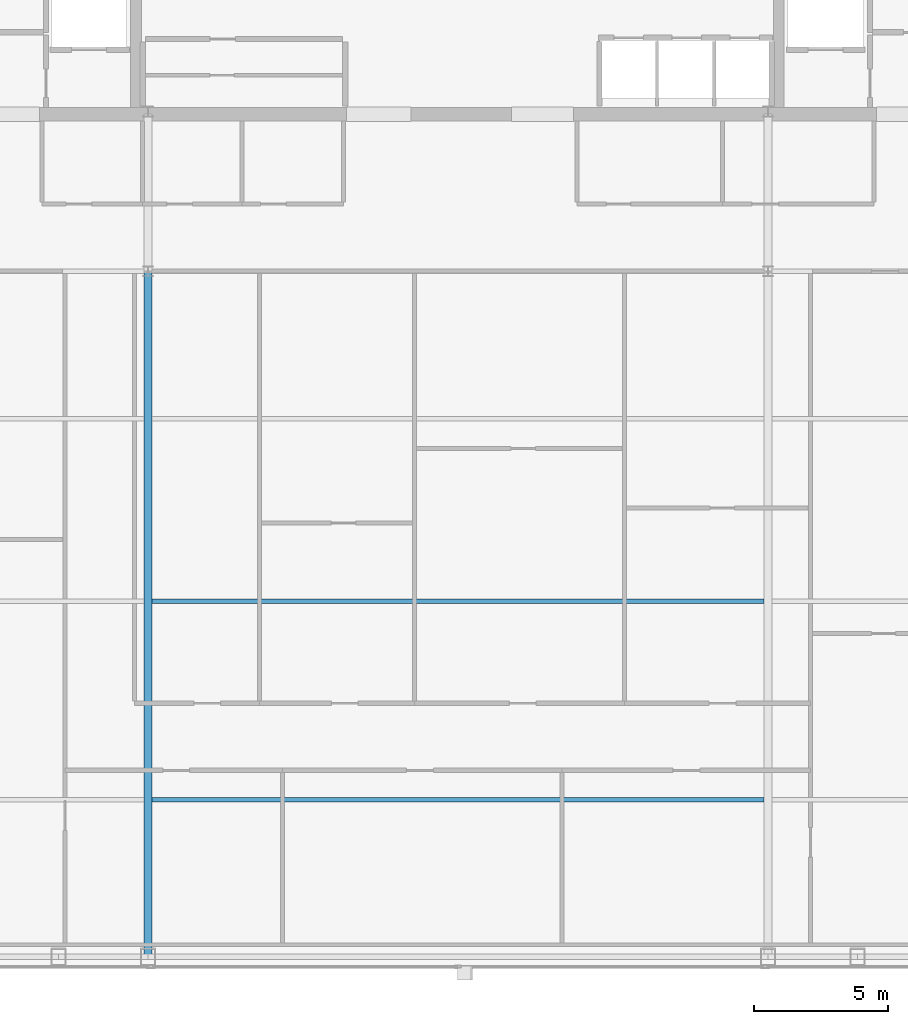
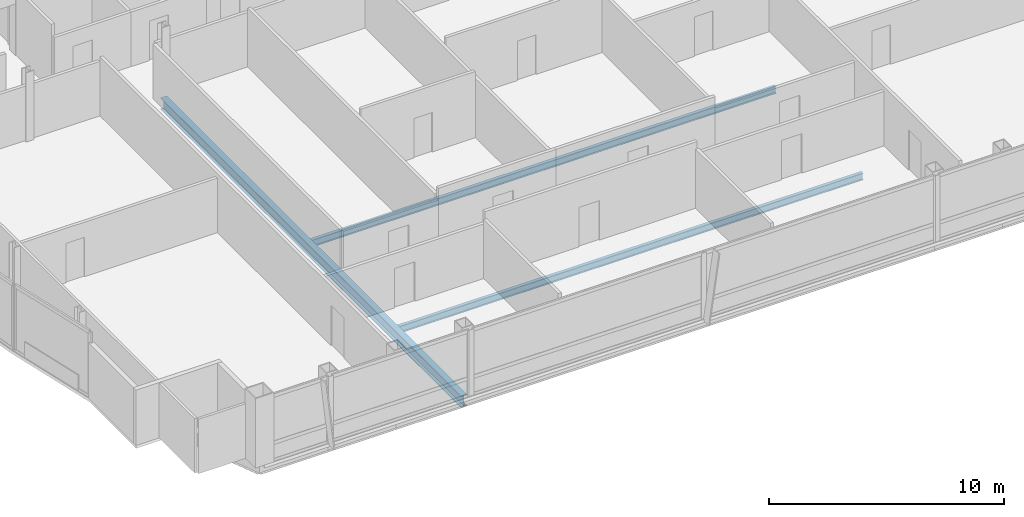
# One storey, part 10 of 29: 3 beams.
"""IFC4 building model written with IfcOpenShell, lengths in metres."""

from ifc_helpers import new_model, si_unit, direction, frame, origin, origin_2d, place, context, subcontext, project, spatial, i_section, extrude, material, material_profile, profile_set, type_object, element, save


model = new_model("IFC4")

# Units and contexts
model_context = context("Model", 3, precision=1e-05, world=origin(), true_north=direction((0.0, 1.0)))
body_context = subcontext(model_context, "Body", "Model", "MODEL_VIEW")
ifc_project = project(units=[si_unit("LENGTHUNIT", "METRE"), si_unit("AREAUNIT", "SQUARE_METRE"), si_unit("VOLUMEUNIT", "CUBIC_METRE"), si_unit("PLANEANGLEUNIT", "RADIAN"), si_unit("MASSUNIT", "GRAM", prefix="KILO")], contexts=[model_context])

# Site, building, storey
site_placement = place(None, origin())
site = spatial("IfcSite", under=ifc_project, at=site_placement, CompositionType="ELEMENT")
building_placement = place(site_placement, origin())
building = spatial("IfcBuilding", under=site, at=building_placement, Name="Khoronbel Lancet Exchange", CompositionType="ELEMENT")
storey_placement = place(building_placement, frame((0.0, 0.0, 318.199951171875)))
storey = spatial("IfcBuildingStorey", under=building, at=storey_placement, Name="L82", CompositionType="ELEMENT", Elevation=318.199951171875)

# Beams
ifc_material = material(Name="Steel S355", Category="steel")
ifc_material_profile_1 = material_profile(ifc_material, i_section(OverallWidth=0.300048828125, OverallDepth=0.60009765625, WebThickness=0.015380859375, FlangeThickness=0.030029296875, at=origin_2d()), Name="HEB 600")
ifc_profile_set_1 = profile_set([ifc_material_profile_1], Name="Steel S355")
beam_type_1 = type_object("IfcBeamType", Name="BM-BG5", PredefinedType="BEAM", material=ifc_profile_set_1)
beam_placement = place(storey_placement, frame((24.89990234375, 10.14990234375, -0.4599609375), z_axis=(0.0, 1.0, 0.0), x_axis=(-1.0, 0.0, 0.0)))
element("IfcBeam", 1, at=beam_placement, inside=storey, type_object=beam_type_1, Name="Level L82 south primary girder GS2", PredefinedType="BEAM", context=body_context, shape_type="SweptSolid", body=[
    extrude(i_section(OverallWidth=0.300048828125, OverallDepth=0.60009765625, WebThickness=0.015380859375, FlangeThickness=0.030029296875, at=origin_2d()), origin(), (0.0, 0.0, 1.0), 25.550048828125),
])
ifc_material_profile_2 = material_profile(ifc_material, i_section(OverallWidth=0.169921875, OverallDepth=0.360107421875, WebThickness=0.008056640625, FlangeThickness=0.0126953125, at=origin_2d()), Name="IPE 360")
ifc_profile_set_2 = profile_set([ifc_material_profile_2], Name="Steel S355")
beam_type_2 = type_object("IfcBeamType", Name="BM-BJ6", PredefinedType="JOIST", material=ifc_profile_set_2)
for number, where, z_axis, x_axis, name in (
    (2, (25.050048828125, 16.0, -0.33984375), (1.0, 0.0, 0.0), (0.0, 1.0, 0.0), "Level L82 secondary composite joist J02"),
    (3, (25.050048828125, 23.39990234375, -0.33984375), (1.0, 0.0, 0.0), (0.0, 1.0, 0.0), "Level L82 secondary composite joist J05"),
):
    element("IfcBeam", number, at=place(storey_placement, frame(where, z_axis=z_axis, x_axis=x_axis)), inside=storey, type_object=beam_type_2, Name=name, PredefinedType="JOIST", context=body_context, shape_type="SweptSolid", body=[
        extrude(i_section(OverallWidth=0.169921875, OverallDepth=0.360107421875, WebThickness=0.008056640625, FlangeThickness=0.0126953125, at=origin_2d()), origin(), (0.0, 0.0, 1.0), 22.800048828125),
    ])

save(model, "model.ifc")
